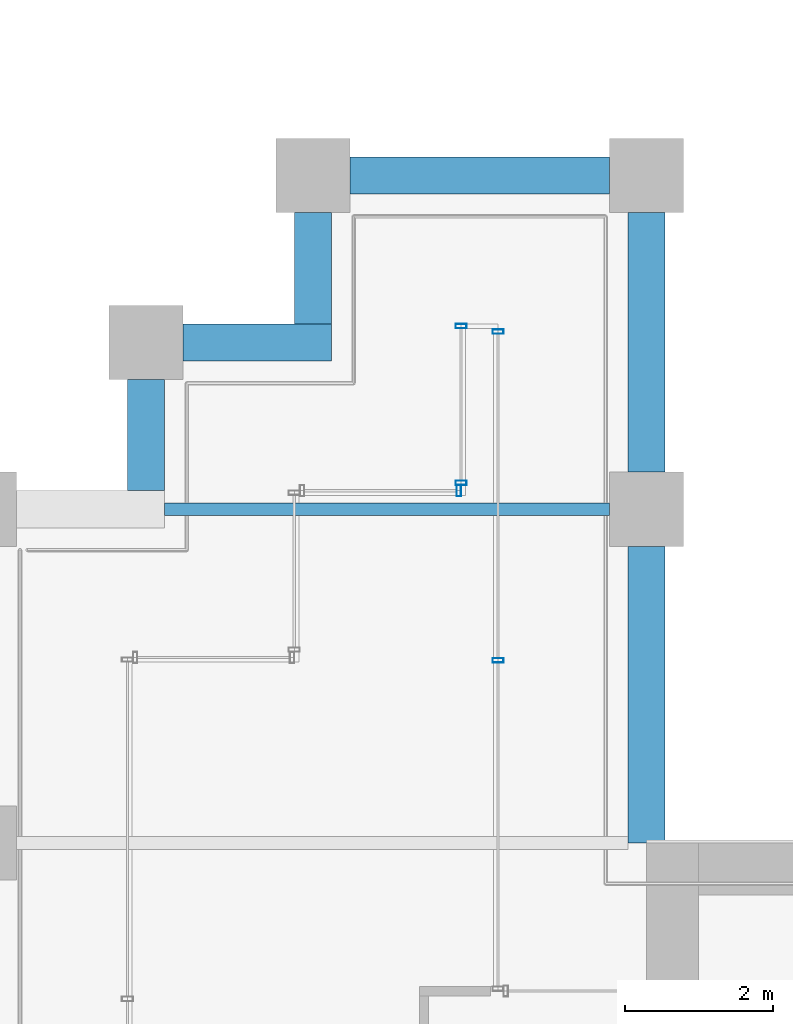
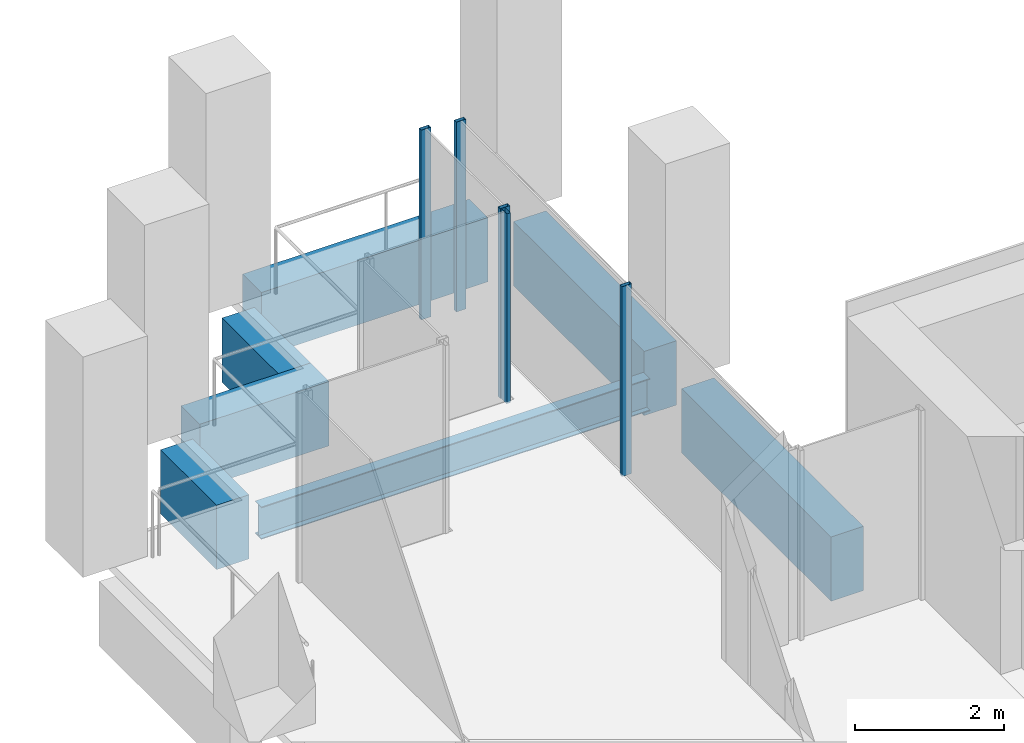
# One storey, part 35 of 46: 7 beams, 5 members, 3 elements without a shape of their own.
"""IFC4 building model written with IfcOpenShell, lengths in metres."""

from ifc_helpers import new_model, si_unit, direction, frame, origin, origin_2d, place, context, subcontext, project, spatial, rectangle, hollow_rectangle, i_section, extrude, material, material_profile, profile_set, type_object, element, aggregate, save


model = new_model("IFC4")

# Units and contexts
model_context = context("Model", 3, precision=1e-05, world=origin(), true_north=direction((0.0, 1.0)))
body_context = subcontext(model_context, "Body", "Model", "MODEL_VIEW")
ifc_project = project(units=[si_unit("LENGTHUNIT", "METRE"), si_unit("AREAUNIT", "SQUARE_METRE"), si_unit("VOLUMEUNIT", "CUBIC_METRE"), si_unit("PLANEANGLEUNIT", "RADIAN"), si_unit("MASSUNIT", "GRAM", prefix="KILO")], contexts=[model_context])

# Site, building, storey
site_placement = place(None, origin())
site = spatial("IfcSite", under=ifc_project, at=site_placement, CompositionType="ELEMENT")
building_placement = place(site_placement, origin())
building = spatial("IfcBuilding", under=site, at=building_placement, Name="Altepetl Exchange Towers", CompositionType="ELEMENT")
storey_placement = place(building_placement, frame((0.0, 0.0, 131.60009765625)))
storey = spatial("IfcBuildingStorey", under=building, at=storey_placement, Name="L32", CompositionType="ELEMENT", Elevation=131.60009765625)

# Beam
ifc_material_1 = material(Name="Steel S355", Category="steel")
ifc_material_profile_1 = material_profile(ifc_material_1, i_section(OverallWidth=0.166015625, OverallDepth=0.529052734375, WebThickness=0.009765625, FlangeThickness=0.013671875, at=origin_2d()), Name="W21X50")
ifc_profile_set_1 = profile_set([ifc_material_profile_1], Name="Steel S355")
beam_type_1 = type_object("IfcBeamType", Name="Floor beam W21X50", PredefinedType="BEAM", material=ifc_profile_set_1)
beam_1_placement = place(storey_placement, frame((97.0, 54.0, -0.41455078125), z_axis=(1.0, 0.0, 0.0), x_axis=(0.0, 1.0, 0.0)))
element("IfcBeam", 1, at=beam_1_placement, inside=storey, type_object=beam_type_1, Name="bm:B:L32:011", PredefinedType="BEAM", context=body_context, shape_type="SweptSolid", body=[
    extrude(i_section(OverallWidth=0.166015625, OverallDepth=0.529052734375, WebThickness=0.009765625, FlangeThickness=0.013671875, at=origin_2d()), origin(), (0.0, 0.0, 1.0), 6.0),
])

# Curtain wall, members
ifc_material_2 = material(Name="Aluminium 6063-T6 glazing", Category="aluminium")
curtain_wall_type = type_object("IfcCurtainWallType", Name="Loggia glazing system", PredefinedType="NOTDEFINED", material=ifc_material_2)
curtain_wall_1_placement = place(storey_placement, origin())
curtain_wall_1 = element("IfcCurtainWall", 2, at=curtain_wall_1_placement, inside=storey, type_object=curtain_wall_type, Name="CW1 run", PredefinedType="NOTDEFINED")
ifc_material_3 = material(Name="Aluminium 6063-T6", Category="aluminium")
ifc_material_profile_2 = material_profile(ifc_material_3, hollow_rectangle(XDim=0.06005859375, YDim=0.14990234375, WallThickness=0.0029296875, at=origin_2d()), Name="Mullion 60x150 aluminium")
ifc_profile_set_2 = profile_set([ifc_material_profile_2], Name="Aluminium 6063-T6")
member_type = type_object("IfcMemberType", Name="Mullion 60x150 aluminium", PredefinedType="MULLION", material=ifc_profile_set_2)
member_1_placement = place(storey_placement, frame((101.5, 51.96240234375, 0.0), z_axis=(0.0, 0.0, 1.0), x_axis=(0.0, 1.0, 0.0)))
member_1 = element("IfcMember", 3, at=member_1_placement, type_object=member_type, Name="MU1 mullion", PredefinedType="MULLION", context=body_context, shape_type="SweptSolid", body=[
    extrude(hollow_rectangle(XDim=0.06005859375, YDim=0.14990234375, WallThickness=0.0029296875, at=origin_2d()), origin(), (0.0, 0.0, 1.0), 3.099853515625),
])
member_2_placement = place(storey_placement, frame((101.5, 56.39501953125, 0.0), z_axis=(0.0, 0.0, 1.0), x_axis=(0.0, 1.0, 0.0)))
member_2 = element("IfcMember", 4, at=member_2_placement, type_object=member_type, Name="MU1 mullion", PredefinedType="MULLION", context=body_context, shape_type="SweptSolid", body=[
    extrude(hollow_rectangle(XDim=0.06005859375, YDim=0.14990234375, WallThickness=0.0029296875, at=origin_2d()), origin(), (0.0, 0.0, 1.0), 3.099853515625),
])
aggregate(curtain_wall_1, [member_1, member_2])

curtain_wall_2_placement = place(storey_placement, origin())
curtain_wall_2 = element("IfcCurtainWall", 5, at=curtain_wall_2_placement, inside=storey, type_object=curtain_wall_type, Name="CW1 run", PredefinedType="NOTDEFINED")
member_3_placement = place(storey_placement, frame((101.0, 56.469970703125, 0.0), z_axis=(0.0, 0.0, 1.0), x_axis=(0.0, -1.0, 0.0)))
member_3 = element("IfcMember", 6, at=member_3_placement, type_object=member_type, Name="MU1 mullion", PredefinedType="MULLION", context=body_context, shape_type="SweptSolid", body=[
    extrude(hollow_rectangle(XDim=0.06005859375, YDim=0.14990234375, WallThickness=0.0029296875, at=origin_2d()), origin(), (0.0, 0.0, 1.0), 3.099853515625),
])
member_4_placement = place(storey_placement, frame((101.0, 54.35498046875, 0.0), z_axis=(0.0, 0.0, 1.0), x_axis=(0.0, -1.0, 0.0)))
member_4 = element("IfcMember", 7, at=member_4_placement, type_object=member_type, Name="MU1 mullion", PredefinedType="MULLION", context=body_context, shape_type="SweptSolid", body=[
    extrude(hollow_rectangle(XDim=0.06005859375, YDim=0.14990234375, WallThickness=0.0029296875, at=origin_2d()), origin(), (0.0, 0.0, 1.0), 3.099853515625),
])
aggregate(curtain_wall_2, [member_3, member_4])

# Curtain wall, member
curtain_wall_3_placement = place(storey_placement, origin())
curtain_wall_3 = element("IfcCurtainWall", 8, at=curtain_wall_3_placement, inside=storey, type_object=curtain_wall_type, Name="CW1 run", PredefinedType="NOTDEFINED")
member_5_placement = place(storey_placement, frame((100.969970703125, 54.25, 0.0), z_axis=(0.0, 0.0, 1.0), x_axis=(-1.0, 0.0, 0.0)))
member_5 = element("IfcMember", 9, at=member_5_placement, type_object=member_type, Name="MU1 mullion", PredefinedType="MULLION", context=body_context, shape_type="SweptSolid", body=[
    extrude(hollow_rectangle(XDim=0.06005859375, YDim=0.14990234375, WallThickness=0.0029296875, at=origin_2d()), origin(), (0.0, 0.0, 1.0), 3.099853515625),
])
aggregate(curtain_wall_3, [member_5])

# Beams
ifc_material_4 = material(Name="Concrete C50/60 precast with cantera rosa facing", Category="concrete")
ifc_material_profile_3 = material_profile(ifc_material_4, rectangle(XDim=0.5, YDim=1.050048828125, at=origin_2d()), Name="500 x 1050")
ifc_profile_set_3 = profile_set([ifc_material_profile_3], Name="Concrete C50/60 precast with cantera rosa facing")
beam_type_2 = type_object("IfcBeamType", Name="Spandrel beam 500x1050 cantera rosa", PredefinedType="SPANDREL", material=ifc_profile_set_3)
beam_2_placement = place(storey_placement, frame((103.5, 49.5, -0.675048828125), z_axis=(0.0, 1.0, 0.0), x_axis=(-1.0, 0.0, 0.0)))
element("IfcBeam", 10, at=beam_2_placement, inside=storey, type_object=beam_type_2, Name="sp:B:L32:015", PredefinedType="SPANDREL", context=body_context, shape_type="SweptSolid", body=[
    extrude(rectangle(XDim=0.5, YDim=1.050048828125, at=origin_2d()), origin(), (0.0, 0.0, 1.0), 4.0),
])
for number, where, z_axis, x_axis, name in (
    (11, (103.5, 54.5, -0.675048828125), (0.0, 1.0, 0.0), (-1.0, 0.0, 0.0), "sp:B:L32:016"),
    (12, (103.0, 58.5, -0.675048828125), (-1.0, 0.0, 0.0), (0.0, -1.0, 0.0), "sp:B:L32:017"),
):
    element("IfcBeam", number, at=place(storey_placement, frame(where, z_axis=z_axis, x_axis=x_axis)), inside=storey, type_object=beam_type_2, Name=name, PredefinedType="SPANDREL", context=body_context, shape_type="SweptSolid", body=[
        extrude(rectangle(XDim=0.5, YDim=1.050048828125, at=origin_2d()), origin(), (0.0, 0.0, 1.0), 3.5),
    ])
beam_3_placement = place(storey_placement, frame((99.0, 58.0, -0.675048828125), z_axis=(0.0, -1.0, 0.0), x_axis=(1.0, 0.0, 0.0)))
element("IfcBeam", 13, at=beam_3_placement, inside=storey, type_object=beam_type_2, Name="sp:B:L32:018", PredefinedType="SPANDREL", context=body_context, shape_type="SweptSolid", body=[
    extrude(rectangle(XDim=0.5, YDim=1.050048828125, at=origin_2d()), origin(), (0.0, 0.0, 1.0), 1.5),
])
beam_4_placement = place(storey_placement, frame((99.25, 56.25, -0.675048828125), z_axis=(-1.0, 0.0, 0.0), x_axis=(0.0, -1.0, 0.0)))
element("IfcBeam", 14, at=beam_4_placement, inside=storey, type_object=beam_type_2, Name="sp:B:L32:019", PredefinedType="SPANDREL", context=body_context, shape_type="SweptSolid", body=[
    extrude(rectangle(XDim=0.5, YDim=1.050048828125, at=origin_2d()), origin(), (0.0, 0.0, 1.0), 2.0),
])
beam_5_placement = place(storey_placement, frame((96.75, 55.75, -0.675048828125), z_axis=(0.0, -1.0, 0.0), x_axis=(1.0, 0.0, 0.0)))
element("IfcBeam", 15, at=beam_5_placement, inside=storey, type_object=beam_type_2, Name="sp:B:L32:020", PredefinedType="SPANDREL", context=body_context, shape_type="SweptSolid", body=[
    extrude(rectangle(XDim=0.5, YDim=1.050048828125, at=origin_2d()), origin(), (0.0, 0.0, 1.0), 1.5),
])

save(model, "model.ifc")
